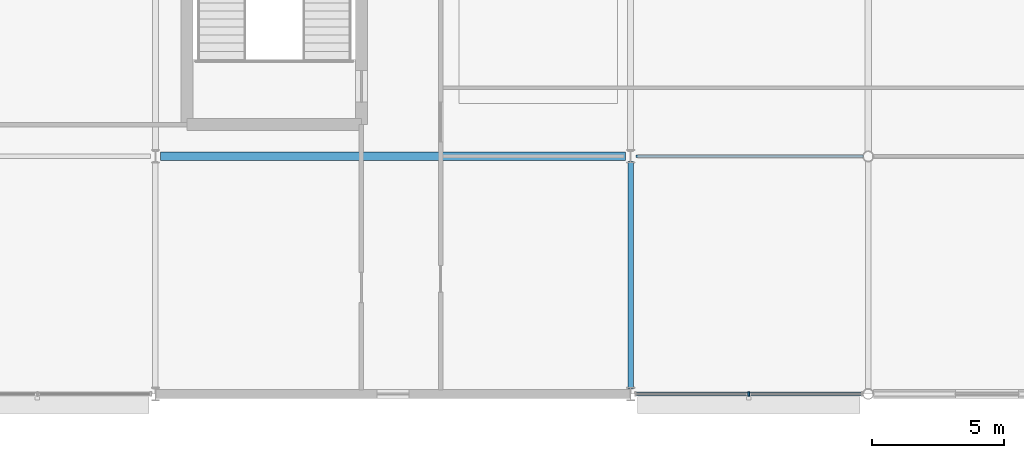
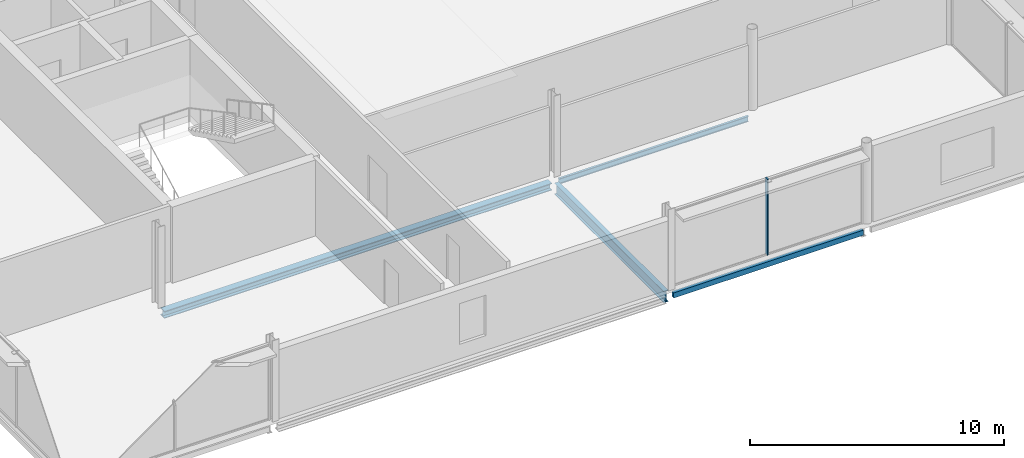
# One storey, part 18 of 96: 4 beams, 1 member, 1 element without a shape of its own.
"""IFC4 building model written with IfcOpenShell, lengths in metres."""

from ifc_helpers import new_model, si_unit, direction, frame, origin, origin_2d, place, context, subcontext, project, spatial, rectangle, hollow_rectangle, i_section, extrude, material, layer, layer_set, material_profile, profile_set, type_object, element, aggregate, save


model = new_model("IFC4")

# Units and contexts
model_context = context("Model", 3, precision=1e-05, world=origin(), true_north=direction((0.0, 1.0)))
body_context = subcontext(model_context, "Body", "Model", "MODEL_VIEW")
ifc_project = project(units=[si_unit("LENGTHUNIT", "METRE"), si_unit("AREAUNIT", "SQUARE_METRE"), si_unit("VOLUMEUNIT", "CUBIC_METRE"), si_unit("PLANEANGLEUNIT", "RADIAN"), si_unit("MASSUNIT", "GRAM", prefix="KILO")], contexts=[model_context])

# Site, building, storey
site_placement = place(None, origin())
site = spatial("IfcSite", under=ifc_project, at=site_placement, CompositionType="ELEMENT")
building_placement = place(site_placement, origin())
building = spatial("IfcBuilding", under=site, at=building_placement, Name="Kisiwana Market Hall", CompositionType="ELEMENT")
storey_placement = place(building_placement, frame((0.0, 0.0, 25.5)))
storey = spatial("IfcBuildingStorey", under=building, at=storey_placement, Name="L05", CompositionType="ELEMENT", Elevation=25.5)

# Beams
ifc_material_1 = material(Name="Steel S355", Category="steel")
ifc_material_profile_1 = material_profile(ifc_material_1, i_section(OverallWidth=0.209228515625, OverallDepth=0.533203125, WebThickness=0.010009765625, FlangeThickness=0.015625, at=origin_2d()), Name="UB 533x210x92")
ifc_profile_set_1 = profile_set([ifc_material_profile_1], Name="Steel S355")
beam_type_1 = type_object("IfcBeamType", Name="BM-GIRD-UB533", PredefinedType="BEAM", material=ifc_profile_set_1)
beam_1_placement = place(storey_placement, frame((27.0, 9.1865234375, -0.58154296875), z_axis=(0.0, 1.0, 0.0), x_axis=(-1.0, 0.0, 0.0)))
element("IfcBeam", 1, at=beam_1_placement, inside=storey, type_object=beam_type_1, Name="Primary girder B-1527", PredefinedType="BEAM", context=body_context, shape_type="SweptSolid", body=[
    extrude(i_section(OverallWidth=0.209228515625, OverallDepth=0.533203125, WebThickness=0.010009765625, FlangeThickness=0.015625, at=origin_2d()), origin(), (0.0, 0.0, 1.0), 8.626953125),
])
ifc_material_2 = material(Name="Steel S355", Category="steel")
ifc_material_profile_2 = material_profile(ifc_material_2, i_section(OverallWidth=0.102294921875, OverallDepth=0.260498046875, WebThickness=0.00634765625, FlangeThickness=0.010009765625, FilletRadius=0.007568359375, at=origin_2d()), Name="UB 254x102x28")
ifc_profile_set_2 = profile_set([ifc_material_profile_2], Name="Steel S355")
beam_type_2 = type_object("IfcBeamType", Name="BM-JOIST-UB028", PredefinedType="JOIST", material=ifc_profile_set_2)
beam_2_placement = place(storey_placement, frame((27.193359375, 18.0, -0.4453125), z_axis=(1.0, 0.0, 0.0), x_axis=(0.0, 1.0, 0.0)))
element("IfcBeam", 2, at=beam_2_placement, inside=storey, type_object=beam_type_2, Name="Floor beam B-1605", PredefinedType="JOIST", context=body_context, shape_type="SweptSolid", body=[
    extrude(i_section(OverallWidth=0.102294921875, OverallDepth=0.260498046875, WebThickness=0.00634765625, FlangeThickness=0.010009765625, FilletRadius=0.007568359375, at=origin_2d()), origin(), (0.0, 0.0, 1.0), 8.624267578125),
])
ifc_material_3 = material(Name="Steel S355", Category="steel")
ifc_material_profile_3 = material_profile(ifc_material_3, i_section(OverallWidth=0.314453125, OverallDepth=0.33984375, WebThickness=0.01904296875, FlangeThickness=0.031494140625, at=origin_2d()), Name="UC 305x305x198")
ifc_profile_set_3 = profile_set([ifc_material_profile_3], Name="Steel S355")
beam_type_3 = type_object("IfcBeamType", Name="BM-SKYBR-CHORD", PredefinedType="BEAM", material=ifc_profile_set_3)
beam_3_placement = place(storey_placement, frame((9.193359375, 18.0, -0.48486328125), z_axis=(1.0, 0.0, 0.0), x_axis=(0.0, 1.0, 0.0)))
element("IfcBeam", 3, at=beam_3_placement, inside=storey, type_object=beam_type_3, Name="Floor beam B-1604", PredefinedType="BEAM", context=body_context, shape_type="SweptSolid", body=[
    extrude(i_section(OverallWidth=0.314453125, OverallDepth=0.33984375, WebThickness=0.01904296875, FlangeThickness=0.031494140625, at=origin_2d()), origin(), (0.0, 0.0, 1.0), 17.61328125),
])
ifc_material_4 = material(Name="Steel S355", Category="steel")
ifc_material_profile_4 = material_profile(ifc_material_4, hollow_rectangle(XDim=0.14990234375, YDim=0.25, WallThickness=0.010009765625, at=origin_2d()), Name="RHS 250x150x10.0")
ifc_profile_set_4 = profile_set([ifc_material_profile_4], Name="Steel S355")
beam_type_4 = type_object("IfcBeamType", Name="BM-SPAN-RHS250", PredefinedType="SPANDREL", material=ifc_profile_set_4)
beam_4_placement = place(storey_placement, frame((27.193359375, 9.0, -0.43994140625), z_axis=(1.0, 0.0, 0.0), x_axis=(0.0, 1.0, 0.0)))
element("IfcBeam", 4, at=beam_4_placement, inside=storey, type_object=beam_type_4, Name="Floor beam B-1597", PredefinedType="SPANDREL", context=body_context, shape_type="SweptSolid", body=[
    extrude(hollow_rectangle(XDim=0.14990234375, YDim=0.25, WallThickness=0.010009765625, at=origin_2d()), origin(), (0.0, 0.0, 1.0), 8.624267578125),
])

# Curtain wall, member
ifc_material_5 = material(Name="Double-glazed solar-control low-E IGU", Category="glass")
ifc_layer = layer(ifc_material_5, 0.159912109375)
ifc_layer_set = layer_set([ifc_layer], Name="CW-ZNA-EW-8200")
curtain_wall_type = type_object("IfcCurtainWallType", Name="CW-ZNA-EW-8200", PredefinedType="USERDEFINED", material=ifc_layer_set)
curtain_wall_placement = place(storey_placement, origin())
curtain_wall = element("IfcCurtainWall", 5, at=curtain_wall_placement, inside=storey, type_object=curtain_wall_type, Name="Unitised curtain wall CW-130 (L05)", ObjectType="UNITISED CURTAIN WALL", PredefinedType="USERDEFINED")
ifc_material_6 = material(Name="Aluminium alloy 6063-T6", Category="aluminium")
ifc_material_profile_5 = material_profile(ifc_material_6, rectangle(XDim=0.06005859375, YDim=0.159912109375, at=origin_2d()), Name="ALU MULLION 60x160")
ifc_profile_set_5 = profile_set([ifc_material_profile_5], Name="Aluminium alloy 6063-T6")
member_type = type_object("IfcMemberType", Name="CW-MULL-60x160", PredefinedType="MULLION", material=ifc_profile_set_5)
member_placement = place(storey_placement, frame((31.473388671875, 9.0, 0.0), z_axis=(0.0, 0.0, 1.0), x_axis=(1.0, 0.0, 0.0)))
member = element("IfcMember", 6, at=member_placement, type_object=member_type, Name="CW-130 mullion 2", PredefinedType="MULLION", context=body_context, shape_type="SweptSolid", body=[
    extrude(rectangle(XDim=0.06005859375, YDim=0.159912109375, at=origin_2d()), origin(), (0.0, 0.0, 1.0), 3.655029296875),
])
aggregate(curtain_wall, [member])

save(model, "model.ifc")
